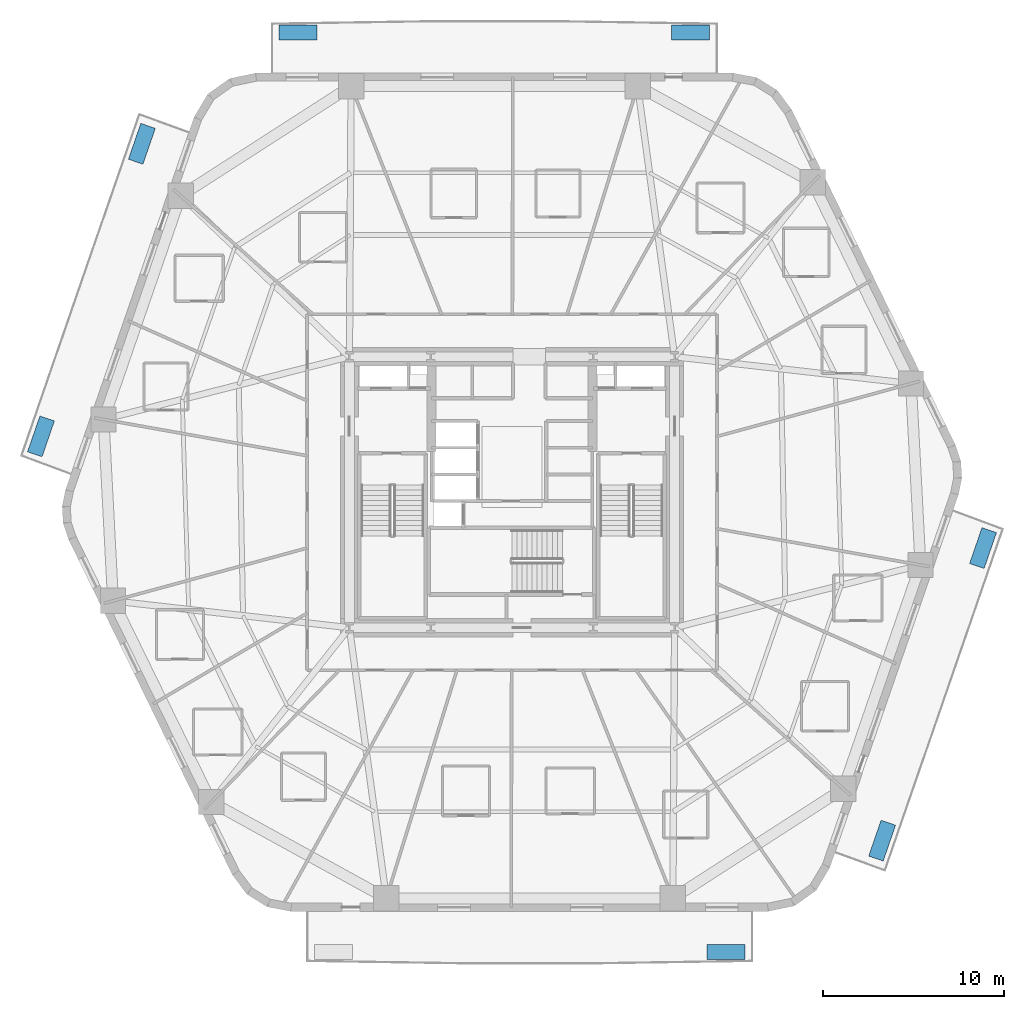
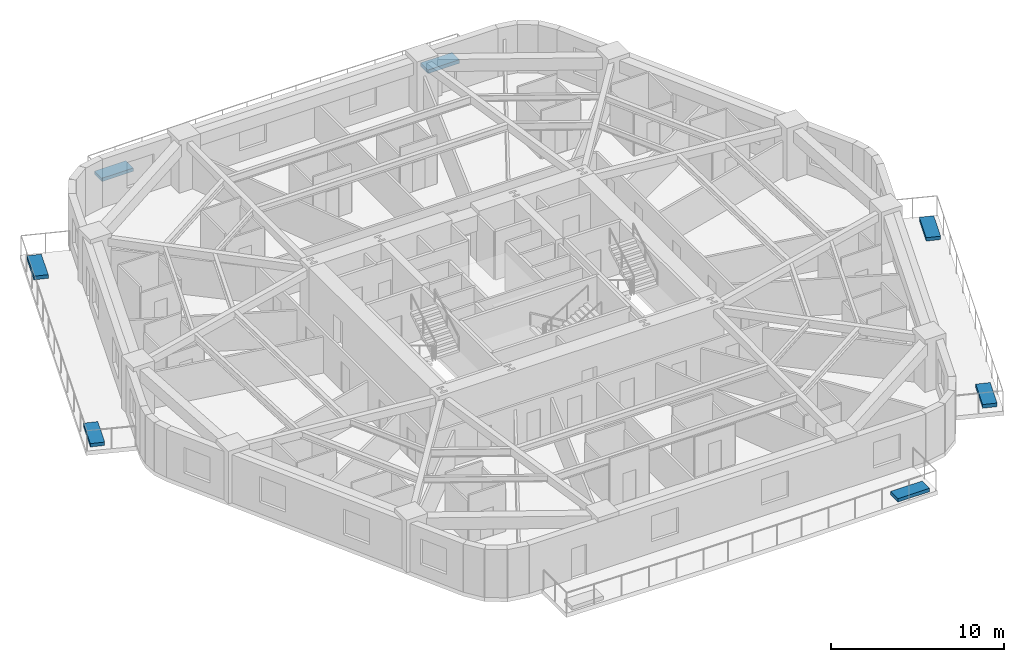
# One storey, part 8 of 11: 7 discrete accessories.
"""IFC4 building model written with IfcOpenShell, lengths in metres."""

from ifc_helpers import new_model, si_unit, direction, frame, origin, origin_2d, place, context, subcontext, project, spatial, rectangle, extrude, material, type_object, element, save


model = new_model("IFC4")

# Units and contexts
model_context = context("Model", 3, precision=1e-05, world=origin(), true_north=direction((0.0, 1.0)))
body_context = subcontext(model_context, "Body", "Model", "MODEL_VIEW")
ifc_project = project(units=[si_unit("LENGTHUNIT", "METRE"), si_unit("AREAUNIT", "SQUARE_METRE"), si_unit("VOLUMEUNIT", "CUBIC_METRE"), si_unit("PLANEANGLEUNIT", "RADIAN"), si_unit("MASSUNIT", "GRAM", prefix="KILO")], contexts=[model_context])

# Site, building, storey
site_placement = place(None, origin())
site = spatial("IfcSite", under=ifc_project, at=site_placement, CompositionType="ELEMENT")
building_placement = place(site_placement, origin())
building = spatial("IfcBuilding", under=site, at=building_placement, Name="Kilnhurst Terrace Hotel", CompositionType="ELEMENT")
storey_placement = place(building_placement, frame((0.0, 0.0, 34.199951171875)))
storey = spatial("IfcBuildingStorey", under=building, at=storey_placement, Name="L06", CompositionType="ELEMENT", Elevation=34.199951171875)

# Discrete accessories
ifc_material_1 = material(Name="Precast Concrete C40/50 Shrub Planter", Category="concrete")
discrete_accessory_type_1 = type_object("IfcDiscreteAccessoryType", Name="PLN-SHRUB-240", PredefinedType="USERDEFINED", material=ifc_material_1)
for number, where, z_axis, x_axis, name in (
    (1, (11.841552734375, -25.449951171875, 0.0), (0.0, 0.0, 1.0), (1.0, 0.0, 0.0), "L06 Structural Tree Planter Box PLANTER BAL-L1A.2"),
    (2, (26.073486328125, -3.09130859375, 0.0), (0.0, 0.0, 1.0), (0.326063182175, 0.94534797891, 0.0), "L06 Structural Tree Planter Box PLANTER BAL-L1B.2"),
    (3, (-11.841552734375, 25.449951171875, 0.0), (0.0, 0.0, 1.0), (-1.0, 0.0, 0.0), "L06 Structural Tree Planter Box PLANTER BAL-L2A.2"),
    (4, (-26.073486328125, 3.09130859375, 0.0), (0.0, 0.0, 1.0), (-0.326063182175, -0.94534797891, 0.0), "L06 Structural Tree Planter Box PLANTER BAL-L2B.2"),
):
    element("IfcDiscreteAccessory", number, at=place(storey_placement, frame(where, z_axis=z_axis, x_axis=x_axis)), inside=storey, type_object=discrete_accessory_type_1, Name=name, ObjectType="PLANTER", PredefinedType="USERDEFINED", context=body_context, shape_type="SweptSolid", body=[
        extrude(rectangle(XDim=2.10009765625, YDim=0.85009765625, at=origin_2d()), origin(), (0.0, 0.0, 1.0), 0.239990234375),
    ])
ifc_material_2 = material(Name="Precast Concrete C40/50 Tree Planter", Category="concrete")
discrete_accessory_type_2 = type_object("IfcDiscreteAccessoryType", Name="PLN-TREE-260", PredefinedType="USERDEFINED", material=ifc_material_2)
for number, where, z_axis, x_axis, name in (
    (5, (20.488037109375, -19.285888671875, 0.0), (0.0, 0.0, 1.0), (0.326063182175, 0.94534797891, 0.0), "L06 Structural Tree Planter Box PLANTER BAL-L1B.1"),
    (6, (9.89208984375, 25.449951171875, 0.0), (0.0, 0.0, 1.0), (-1.0, 0.0, 0.0), "L06 Structural Tree Planter Box PLANTER BAL-L2A.1"),
    (7, (-20.488037109375, 19.285888671875, 0.0), (0.0, 0.0, 1.0), (-0.326063182175, -0.94534797891, 0.0), "L06 Structural Tree Planter Box PLANTER BAL-L2B.1"),
):
    element("IfcDiscreteAccessory", number, at=place(storey_placement, frame(where, z_axis=z_axis, x_axis=x_axis)), inside=storey, type_object=discrete_accessory_type_2, Name=name, ObjectType="PLANTER", PredefinedType="USERDEFINED", context=body_context, shape_type="SweptSolid", body=[
        extrude(rectangle(XDim=2.10009765625, YDim=0.85009765625, at=origin_2d()), origin(), (0.0, 0.0, 1.0), 0.260009765625),
    ])

save(model, "model.ifc")
